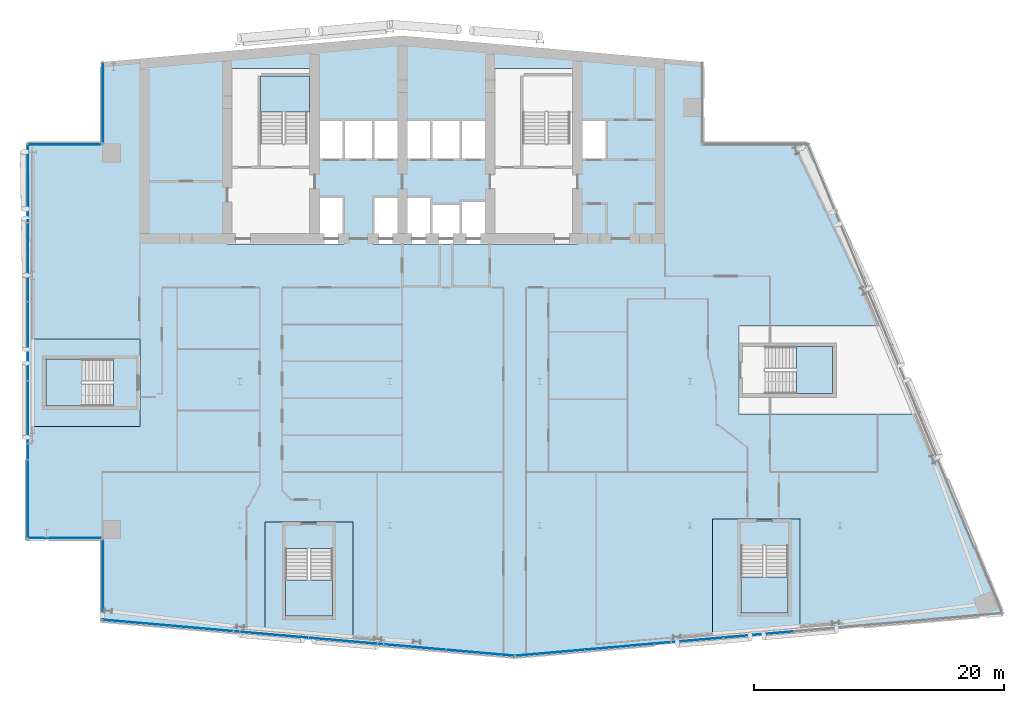
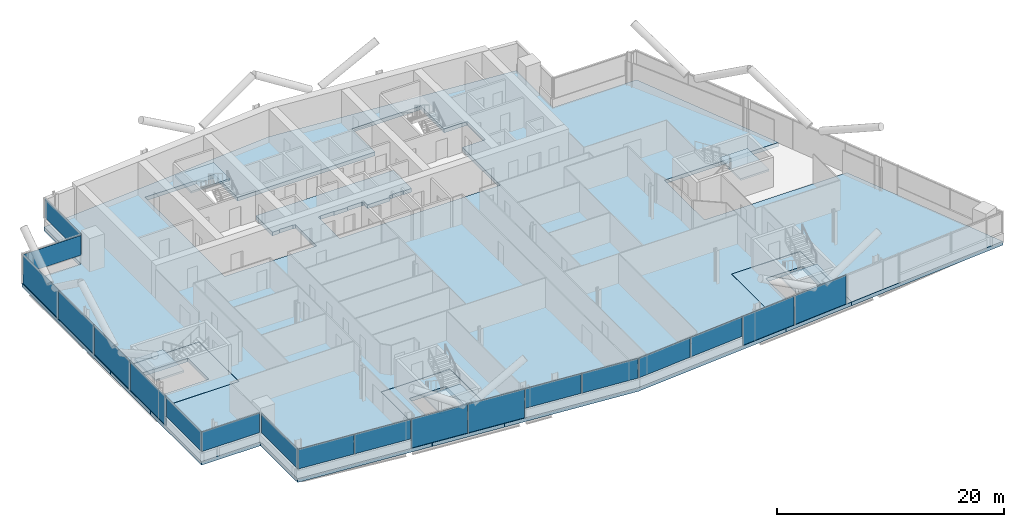
# One storey, part 12 of 26: 19 plates, 9 slabs, 12 elements without a shape of their own.
"""IFC4 building model written with IfcOpenShell, lengths in metres."""

from ifc_helpers import new_model, si_unit, direction, frame, origin, origin_2d, place, context, subcontext, project, spatial, polyline, rectangle, outline, extrude, material, layer, layer_set, type_object, element, aggregate, save


model = new_model("IFC4")

# Units and contexts
model_context = context("Model", 3, precision=1e-05, world=origin(), true_north=direction((0.0, 1.0)))
body_context = subcontext(model_context, "Body", "Model", "MODEL_VIEW")
ifc_project = project(units=[si_unit("LENGTHUNIT", "METRE"), si_unit("AREAUNIT", "SQUARE_METRE"), si_unit("VOLUMEUNIT", "CUBIC_METRE"), si_unit("PLANEANGLEUNIT", "RADIAN"), si_unit("MASSUNIT", "GRAM", prefix="KILO")], contexts=[model_context])

# Site, building, storey
site_placement = place(None, origin())
site = spatial("IfcSite", under=ifc_project, at=site_placement, CompositionType="ELEMENT")
building_placement = place(site_placement, origin())
building = spatial("IfcBuilding", under=site, at=building_placement, Name="Wharfspan Tower", CompositionType="ELEMENT")
storey_placement = place(building_placement, frame((0.0, 0.0, 173.5)))
storey = spatial("IfcBuildingStorey", under=building, at=storey_placement, Name="L42", CompositionType="ELEMENT", Elevation=173.5)

# Curtain wall, plates
ifc_material_1 = material(Name="Aluminium 6063-T6", Category="aluminium")
curtain_wall_type_1 = type_object("IfcCurtainWallType", Name="CURTAIN WALL FACETED FRONT", PredefinedType="NOTDEFINED", material=ifc_material_1)
curtain_wall_1_placement = place(storey_placement, origin())
curtain_wall_1 = element("IfcCurtainWall", 1, at=curtain_wall_1_placement, inside=storey, type_object=curtain_wall_type_1, Name="Curtain wall S1", PredefinedType="NOTDEFINED")
ifc_material_2 = material(Name="Glass clear low-iron double glazing", Category="glass")
ifc_layer_1 = layer(ifc_material_2, 0.040039)
ifc_layer_set_1 = layer_set([ifc_layer_1], Name="Glass clear low-iron double glazing")
plate_type_1 = type_object("IfcPlateType", Name="GLASS PANEL FACETED FRONT 40", PredefinedType="CURTAIN_PANEL", material=ifc_layer_set_1)
plate_1_placement = place(storey_placement, frame((15.770264, 3.692871, 1.0), z_axis=(0.0, 0.0, 1.0), x_axis=(0.996198, -0.087156, 0.0)))
plate_1 = element("IfcPlate", 2, at=plate_1_placement, type_object=plate_type_1, Name="Curtain wall S1 panel 1", PredefinedType="CURTAIN_PANEL", context=body_context, shape_type="SweptSolid", body=[
    extrude(rectangle(XDim=5.430908, YDim=0.040039, at=origin_2d()), origin(), (0.0, 0.0, 1.0), 2.120117),
])
plate_2_placement = place(storey_placement, frame((21.255127, 3.213135, 1.0), z_axis=(0.0, 0.0, 1.0), x_axis=(0.996198, -0.087156, 0.0)))
plate_2 = element("IfcPlate", 3, at=plate_2_placement, type_object=plate_type_1, Name="Curtain wall S1 panel 2", PredefinedType="CURTAIN_PANEL", context=body_context, shape_type="SweptSolid", body=[
    extrude(rectangle(XDim=5.460938, YDim=0.040039, at=origin_2d()), origin(), (0.0, 0.0, 1.0), 2.120117),
])
plate_3_placement = place(storey_placement, frame((37.755127, 1.769531, 1.0), z_axis=(0.0, 0.0, 1.0), x_axis=(0.996198, -0.087156, 0.0)))
plate_3 = element("IfcPlate", 4, at=plate_3_placement, type_object=plate_type_1, Name="Curtain wall S1 panel 5", PredefinedType="CURTAIN_PANEL", context=body_context, shape_type="SweptSolid", body=[
    extrude(rectangle(XDim=5.460938, YDim=0.040039, at=origin_2d()), origin(), (0.0, 0.0, 1.0), 2.120117),
])
plate_4_placement = place(storey_placement, frame((43.240234, 1.289551, 1.0), z_axis=(0.0, 0.0, 1.0), x_axis=(0.996198, -0.087156, 0.0)))
plate_4 = element("IfcPlate", 5, at=plate_4_placement, type_object=plate_type_1, Name="Curtain wall S1 panel 6", PredefinedType="CURTAIN_PANEL", context=body_context, shape_type="SweptSolid", body=[
    extrude(rectangle(XDim=5.430908, YDim=0.040039, at=origin_2d()), origin(), (0.0, 0.0, 1.0), 2.120117),
])

curtain_wall_2_placement = place(storey_placement, origin())
curtain_wall_2 = element("IfcCurtainWall", 6, at=curtain_wall_2_placement, inside=storey, type_object=curtain_wall_type_1, Name="Curtain wall S2", PredefinedType="NOTDEFINED")
plate_5_placement = place(storey_placement, frame((48.79541, 1.292725, 1.0), z_axis=(0.0, 0.0, 1.0), x_axis=(0.996198, 0.087156, 0.0)))
plate_5 = element("IfcPlate", 7, at=plate_5_placement, type_object=plate_type_1, Name="Curtain wall S2 panel 1", PredefinedType="CURTAIN_PANEL", context=body_context, shape_type="SweptSolid", body=[
    extrude(rectangle(XDim=5.502686, YDim=0.040039, at=origin_2d()), origin(), (0.0, 0.0, 1.0), 2.120117),
])
plate_6_placement = place(storey_placement, frame((54.351807, 1.778809, 1.0), z_axis=(0.0, 0.0, 1.0), x_axis=(0.996198, 0.087156, 0.0)))
plate_6 = element("IfcPlate", 8, at=plate_6_placement, type_object=plate_type_1, Name="Curtain wall S2 panel 2", PredefinedType="CURTAIN_PANEL", context=body_context, shape_type="SweptSolid", body=[
    extrude(rectangle(XDim=5.532715, YDim=0.040039, at=origin_2d()), origin(), (0.0, 0.0, 1.0), 2.120117),
])

# Curtain wall, plate
curtain_wall_type_2 = type_object("IfcCurtainWallType", Name="CURTAIN WALL PROW AND END", PredefinedType="NOTDEFINED", material=ifc_material_1)
curtain_wall_3_placement = place(storey_placement, origin())
curtain_wall_3 = element("IfcCurtainWall", 9, at=curtain_wall_3_placement, inside=storey, type_object=curtain_wall_type_2, Name="Curtain wall NRW-V", PredefinedType="NOTDEFINED")
ifc_layer_2 = layer(ifc_material_2, 0.040039)
ifc_layer_set_2 = layer_set([ifc_layer_2], Name="Glass clear low-iron double glazing")
plate_type_2 = type_object("IfcPlateType", Name="GLASS PANEL PROW AND END 40", PredefinedType="CURTAIN_PANEL", material=ifc_layer_set_2)
plate_7_placement = place(storey_placement, frame((13.080078, 45.262451, 1.0), z_axis=(0.0, 0.0, 1.0), x_axis=(0.0, -1.0, 0.0)))
plate_7 = element("IfcPlate", 10, at=plate_7_placement, type_object=plate_type_2, Name="Curtain wall NRW-V panel 1", PredefinedType="CURTAIN_PANEL", context=body_context, shape_type="SweptSolid", body=[
    extrude(rectangle(XDim=6.405029, YDim=0.040039, at=origin_2d()), origin(), (0.0, 0.0, 1.0), 2.120117),
])
aggregate(curtain_wall_3, [plate_7])

curtain_wall_4_placement = place(storey_placement, origin())
curtain_wall_4 = element("IfcCurtainWall", 11, at=curtain_wall_4_placement, inside=storey, type_object=curtain_wall_type_2, Name="Curtain wall NRW-H", PredefinedType="NOTDEFINED")
plate_8_placement = place(storey_placement, frame((10.0, 41.919922, 1.0), z_axis=(0.0, 0.0, 1.0), x_axis=(-1.0, 0.0, 0.0)))
plate_8 = element("IfcPlate", 12, at=plate_8_placement, type_object=plate_type_2, Name="Curtain wall NRW-H panel 1", PredefinedType="CURTAIN_PANEL", context=body_context, shape_type="SweptSolid", body=[
    extrude(rectangle(XDim=5.879883, YDim=0.040039, at=origin_2d()), origin(), (0.0, 0.0, 1.0), 2.120117),
])
aggregate(curtain_wall_4, [plate_8])

curtain_wall_5_placement = place(storey_placement, origin())
curtain_wall_5 = element("IfcCurtainWall", 13, at=curtain_wall_5_placement, inside=storey, type_object=curtain_wall_type_2, Name="Curtain wall W", PredefinedType="NOTDEFINED")
plate_9_placement = place(storey_placement, frame((7.080078, 13.574951, 1.0), z_axis=(0.0, 0.0, 1.0), x_axis=(0.0, -1.0, 0.0)))
plate_9 = element("IfcPlate", 14, at=plate_9_placement, type_object=plate_type_2, Name="Curtain wall W panel 5", PredefinedType="CURTAIN_PANEL", context=body_context, shape_type="SweptSolid", body=[
    extrude(rectangle(XDim=6.22998, YDim=0.040039, at=origin_2d()), origin(), (0.0, 0.0, 1.0), 2.120117),
])

curtain_wall_6_placement = place(storey_placement, origin())
curtain_wall_6 = element("IfcCurtainWall", 15, at=curtain_wall_6_placement, inside=storey, type_object=curtain_wall_type_2, Name="Curtain wall NFW-H", PredefinedType="NOTDEFINED")
plate_10_placement = place(storey_placement, frame((10.0, 10.47998, 1.0), z_axis=(0.0, 0.0, 1.0), x_axis=(1.0, 0.0, 0.0)))
plate_10 = element("IfcPlate", 16, at=plate_10_placement, type_object=plate_type_2, Name="Curtain wall NFW-H panel 1", PredefinedType="CURTAIN_PANEL", context=body_context, shape_type="SweptSolid", body=[
    extrude(rectangle(XDim=5.879883, YDim=0.040039, at=origin_2d()), origin(), (0.0, 0.0, 1.0), 2.120117),
])
aggregate(curtain_wall_6, [plate_10])

curtain_wall_7_placement = place(storey_placement, origin())
curtain_wall_7 = element("IfcCurtainWall", 17, at=curtain_wall_7_placement, inside=storey, type_object=curtain_wall_type_2, Name="Curtain wall NFW-V", PredefinedType="NOTDEFINED")
plate_11_placement = place(storey_placement, frame((13.080078, 7.137451, 1.0), z_axis=(0.0, 0.0, 1.0), x_axis=(0.0, -1.0, 0.0)))
plate_11 = element("IfcPlate", 18, at=plate_11_placement, type_object=plate_type_2, Name="Curtain wall NFW-V panel 1", PredefinedType="CURTAIN_PANEL", context=body_context, shape_type="SweptSolid", body=[
    extrude(rectangle(XDim=6.405029, YDim=0.040039, at=origin_2d()), origin(), (0.0, 0.0, 1.0), 2.120117),
])
aggregate(curtain_wall_7, [plate_11])

# Plate
ifc_material_3 = material(Name="Aluminium composite opaque insulated panel", Category="aluminium")
ifc_layer_3 = layer(ifc_material_3, 0.040039)
ifc_layer_set_3 = layer_set([ifc_layer_3], Name="Aluminium composite opaque insulated panel")
plate_type_3 = type_object("IfcPlateType", Name="INFILL PANEL FACETED FRONT OPAQUE 40", PredefinedType="SHEET", material=ifc_layer_set_3)
plate_12_placement = place(storey_placement, frame((26.755127, 2.731934, 0.0), z_axis=(0.0, 0.0, 1.0), x_axis=(0.996198, -0.087156, 0.0)))
plate_12 = element("IfcPlate", 19, at=plate_12_placement, type_object=plate_type_3, Name="Curtain wall S1 panel 3", PredefinedType="SHEET", context=body_context, shape_type="SweptSolid", body=[
    extrude(rectangle(XDim=5.460938, YDim=0.040039, at=origin_2d()), origin(), (0.0, 0.0, 1.0), 3.120117),
])

plate_13_placement = place(storey_placement, frame((32.255127, 2.250732, 0.0), z_axis=(0.0, 0.0, 1.0), x_axis=(0.996198, -0.087156, 0.0)))
plate_13 = element("IfcPlate", 20, at=plate_13_placement, type_object=plate_type_3, Name="Curtain wall S1 panel 4", PredefinedType="SHEET", context=body_context, shape_type="SweptSolid", body=[
    extrude(rectangle(XDim=5.460938, YDim=0.040039, at=origin_2d()), origin(), (0.0, 0.0, 1.0), 3.120117),
])

aggregate(curtain_wall_1, [plate_1, plate_2, plate_12, plate_13, plate_3, plate_4])

plate_14_placement = place(storey_placement, frame((59.92334, 2.266357, 0.0), z_axis=(0.0, 0.0, 1.0), x_axis=(0.996198, 0.087156, 0.0)))
plate_14 = element("IfcPlate", 21, at=plate_14_placement, type_object=plate_type_3, Name="Curtain wall S2 panel 3", PredefinedType="SHEET", context=body_context, shape_type="SweptSolid", body=[
    extrude(rectangle(XDim=5.532715, YDim=0.040039, at=origin_2d()), origin(), (0.0, 0.0, 1.0), 3.120117),
])

plate_15_placement = place(storey_placement, frame((65.494873, 2.753662, 0.0), z_axis=(0.0, 0.0, 1.0), x_axis=(0.996198, 0.087156, 0.0)))
plate_15 = element("IfcPlate", 22, at=plate_15_placement, type_object=plate_type_3, Name="Curtain wall S2 panel 4", PredefinedType="SHEET", context=body_context, shape_type="SweptSolid", body=[
    extrude(rectangle(XDim=5.532715, YDim=0.040039, at=origin_2d()), origin(), (0.0, 0.0, 1.0), 3.120117),
])

aggregate(curtain_wall_2, [plate_5, plate_6, plate_14, plate_15])

ifc_layer_4 = layer(ifc_material_3, 0.040039)
ifc_layer_set_4 = layer_set([ifc_layer_4], Name="Aluminium composite opaque insulated panel")
plate_type_4 = type_object("IfcPlateType", Name="INFILL PANEL PROW AND END OPAQUE 40", PredefinedType="SHEET", material=ifc_layer_set_4)
plate_16_placement = place(storey_placement, frame((7.080078, 38.824951, 0.0), z_axis=(0.0, 0.0, 1.0), x_axis=(0.0, -1.0, 0.0)))
plate_16 = element("IfcPlate", 23, at=plate_16_placement, type_object=plate_type_4, Name="Curtain wall W panel 1", PredefinedType="SHEET", context=body_context, shape_type="SweptSolid", body=[
    extrude(rectangle(XDim=6.22998, YDim=0.040039, at=origin_2d()), origin(), (0.0, 0.0, 1.0), 3.120117),
])

plate_17_placement = place(storey_placement, frame((7.080078, 32.52002, 0.0), z_axis=(0.0, 0.0, 1.0), x_axis=(0.0, -1.0, 0.0)))
plate_17 = element("IfcPlate", 24, at=plate_17_placement, type_object=plate_type_4, Name="Curtain wall W panel 2", PredefinedType="SHEET", context=body_context, shape_type="SweptSolid", body=[
    extrude(rectangle(XDim=6.26001, YDim=0.040039, at=origin_2d()), origin(), (0.0, 0.0, 1.0), 3.120117),
])

plate_18_placement = place(storey_placement, frame((7.080078, 26.199951, 0.0), z_axis=(0.0, 0.0, 1.0), x_axis=(0.0, -1.0, 0.0)))
plate_18 = element("IfcPlate", 25, at=plate_18_placement, type_object=plate_type_4, Name="Curtain wall W panel 3", PredefinedType="SHEET", context=body_context, shape_type="SweptSolid", body=[
    extrude(rectangle(XDim=6.26001, YDim=0.040039, at=origin_2d()), origin(), (0.0, 0.0, 1.0), 3.120117),
])

plate_19_placement = place(storey_placement, frame((7.080078, 19.879883, 0.0), z_axis=(0.0, 0.0, 1.0), x_axis=(0.0, -1.0, 0.0)))
plate_19 = element("IfcPlate", 26, at=plate_19_placement, type_object=plate_type_4, Name="Curtain wall W panel 4", PredefinedType="SHEET", context=body_context, shape_type="SweptSolid", body=[
    extrude(rectangle(XDim=6.26001, YDim=0.040039, at=origin_2d()), origin(), (0.0, 0.0, 1.0), 3.120117),
])

aggregate(curtain_wall_5, [plate_16, plate_17, plate_18, plate_19, plate_9])

# Slabs
ifc_material_4 = material(Name="Concrete C40/50", Category="concrete")
ifc_layer_5 = layer(ifc_material_4, 0.399902)
ifc_layer_set_5 = layer_set([ifc_layer_5], Name="Concrete C40/50")
slab_type_1 = type_object("IfcSlabType", Name="Post-tensioned flat slab 400", PredefinedType="FLOOR", material=ifc_layer_set_5)
slab_1_placement = place(storey_placement, frame((0.0, 0.0, -0.400146)))
element("IfcSlab", 27, at=slab_1_placement, inside=storey, type_object=slab_type_1, Name="Floor slab L42", PredefinedType="FLOOR", context=body_context, shape_type="SweptSolid", body=[
    extrude(outline(polyline([(26.029297, 2.735107), (26.029297, 11.744385), (33.049316, 11.744385), (33.049316, 2.121094), (46.0, 0.987793), (61.801514, 2.370361), (61.801514, 11.993652), (68.821289, 11.993652), (68.821289, 2.984619), (85.0, 4.399902), (78.398682, 20.389893), (63.894531, 20.389893), (63.894531, 27.409912), (75.500488, 27.409912), (69.477051, 42.0), (61.0, 42.0), (61.0, 48.524902), (37.0, 50.624756), (13.0, 48.524902), (13.0, 42.0), (7.0, 42.0), (7.0, 26.409912), (16.01001, 26.409912), (16.01001, 19.389893), (7.0, 19.389893), (7.0, 10.399902), (13.0, 10.399902), (13.0, 3.875), (26.029297, 2.735107)]), holes=[polyline([(32.126709, 37.76001), (32.343262, 37.76001), (32.343262, 33.98999), (22.98999, 33.98999), (22.98999, 48.01001), (30.01001, 48.01001), (30.01001, 43.909912), (43.98999, 43.909912), (43.98999, 48.01001), (51.01001, 48.01001), (51.01001, 43.909912), (53.343262, 43.909912), (53.343262, 40.689941), (51.01001, 40.689941), (51.01001, 33.98999), (34.656738, 33.98999), (34.656738, 37.76001), (34.873291, 37.76001), (34.873291, 37.810059), (36.293213, 37.810059), (36.293213, 37.76001), (37.666748, 37.76001), (37.666748, 37.810059), (39.166748, 37.810059), (39.166748, 37.76001), (39.343262, 37.76001), (39.343262, 37.209961), (41.656738, 37.209961), (41.656738, 37.459961), (42.023193, 37.459961), (42.023193, 37.51001), (43.143311, 37.51001), (43.143311, 37.459961), (43.98999, 37.459961), (43.98999, 40.689941), (30.01001, 40.689941), (30.01001, 37.76001), (30.706787, 37.76001), (30.706787, 37.810059), (32.126709, 37.810059), (32.126709, 37.76001)])]), origin(), (0.0, 0.0, 1.0), 0.400146),
])
slab_2_placement = place(storey_placement, frame((0.0, 0.0, -0.400146)))
element("IfcSlab", 28, at=slab_2_placement, inside=storey, type_object=slab_type_1, Name="Core floor slab L42 part 1", PredefinedType="FLOOR", context=body_context, shape_type="SweptSolid", body=[
    extrude(outline(polyline([(16.0, 20.725098), (16.0, 25.074951), (16.0, 26.399902), (7.0, 26.399902), (7.0, 19.399902), (16.0, 19.399902), (16.0, 20.725098)]), holes=[polyline([(13.899902, 24.7771), (13.900146, 24.7771), (13.900391, 24.7771), (13.900635, 24.776855), (13.900879, 24.776855), (13.900879, 24.776855), (13.901123, 24.776611), (13.901367, 24.776611), (13.901367, 24.776367), (13.901611, 24.776367), (13.901611, 24.776123), (13.901855, 24.775879), (13.901855, 24.775879), (13.901855, 24.775635), (13.9021, 24.775391), (13.9021, 24.775146), (13.9021, 24.774902), (13.9021, 21.024902), (13.9021, 21.024902), (13.9021, 21.024658), (13.901855, 21.024414), (13.901855, 21.02417), (13.901855, 21.02417), (13.901611, 21.023926), (13.901611, 21.023682), (13.901367, 21.023682), (13.901367, 21.023438), (13.901123, 21.023193), (13.900879, 21.023193), (13.900879, 21.023193), (13.900635, 21.023193), (13.900391, 21.022949), (13.900146, 21.022949), (13.899902, 21.022949), (8.5, 21.022949), (8.499756, 21.022949), (8.499512, 21.022949), (8.499512, 21.023193), (8.499268, 21.023193), (8.499023, 21.023193), (8.498779, 21.023193), (8.498779, 21.023438), (8.498535, 21.023682), (8.498535, 21.023682), (8.498291, 21.023926), (8.498291, 21.02417), (8.498291, 21.02417), (8.498047, 21.024414), (8.498047, 21.024658), (8.498047, 21.024902), (8.498047, 21.024902), (8.498047, 24.774902), (8.498047, 24.775146), (8.498047, 24.775391), (8.498047, 24.775635), (8.498291, 24.775879), (8.498291, 24.775879), (8.498291, 24.776123), (8.498535, 24.776367), (8.498535, 24.776367), (8.498779, 24.776611), (8.498779, 24.776611), (8.499023, 24.776855), (8.499268, 24.776855), (8.499512, 24.776855), (8.499512, 24.7771), (8.499756, 24.7771), (8.5, 24.7771), (13.899902, 24.7771)])]), origin(), (0.0, 0.0, 1.0), 0.400146),
])
slab_3_placement = place(storey_placement, frame((0.0, 0.0, -0.400146)))
element("IfcSlab", 29, at=slab_3_placement, inside=storey, type_object=slab_type_1, Name="Core floor slab L42 part 2", PredefinedType="FLOOR", context=body_context, shape_type="SweptSolid", body=[
    extrude(outline(polyline([(31.714111, 11.734375), (27.364258, 11.734375), (26.039307, 11.734375), (26.039307, 2.734375), (33.039307, 2.121826), (33.039307, 11.734375), (31.714111, 11.734375)]), holes=[polyline([(27.662109, 9.634277), (27.662109, 9.634521), (27.662354, 9.634766), (27.662354, 9.63501), (27.662354, 9.63501), (27.662598, 9.635254), (27.662598, 9.635498), (27.662598, 9.635498), (27.662842, 9.635742), (27.663086, 9.635742), (27.663086, 9.635986), (27.66333, 9.635986), (27.663574, 9.635986), (27.663574, 9.63623), (27.663818, 9.63623), (27.664062, 9.63623), (27.664307, 9.63623), (31.414307, 9.63623), (31.414307, 9.63623), (31.414551, 9.63623), (31.414795, 9.63623), (31.415039, 9.635986), (31.415283, 9.635986), (31.415283, 9.635986), (31.415527, 9.635742), (31.415527, 9.635742), (31.415771, 9.635498), (31.416016, 9.635498), (31.416016, 9.635254), (31.416016, 9.63501), (31.416016, 9.63501), (31.41626, 9.634766), (31.41626, 9.634521), (31.41626, 9.634277), (31.41626, 4.234375), (31.41626, 4.234131), (31.41626, 4.233887), (31.416016, 4.233643), (31.416016, 4.233398), (31.416016, 4.233398), (31.416016, 4.233154), (31.415771, 4.23291), (31.415527, 4.23291), (31.415527, 4.232666), (31.415283, 4.232666), (31.415283, 4.232422), (31.415039, 4.232422), (31.414795, 4.232422), (31.414551, 4.232422), (31.414307, 4.232422), (31.414307, 4.232422), (27.664307, 4.232422), (27.664062, 4.232422), (27.663818, 4.232422), (27.663574, 4.232422), (27.663574, 4.232422), (27.66333, 4.232422), (27.663086, 4.232666), (27.663086, 4.232666), (27.662842, 4.23291), (27.662598, 4.23291), (27.662598, 4.233154), (27.662598, 4.233398), (27.662354, 4.233398), (27.662354, 4.233643), (27.662354, 4.233887), (27.662109, 4.234131), (27.662109, 4.234375), (27.662109, 9.634277)])]), origin(), (0.0, 0.0, 1.0), 0.400146),
])
slab_4_placement = place(storey_placement, frame((0.0, 0.0, -0.400146)))
element("IfcSlab", 30, at=slab_4_placement, inside=storey, type_object=slab_type_1, Name="Core floor slab L42 part 4", PredefinedType="FLOOR", context=body_context, shape_type="SweptSolid", body=[
    extrude(outline(polyline([(68.811279, 11.983643), (68.136475, 11.983643), (63.786377, 11.983643), (61.811279, 11.983643), (61.811279, 2.371338), (68.811279, 2.983643), (68.811279, 11.983643)]), holes=[polyline([(64.084473, 9.883789), (64.084473, 9.883789), (64.084473, 9.884033), (64.084473, 9.884277), (64.084473, 9.884521), (64.084717, 9.884521), (64.084717, 9.884766), (64.084717, 9.88501), (64.084961, 9.88501), (64.085205, 9.885254), (64.085205, 9.885254), (64.085449, 9.885498), (64.085693, 9.885498), (64.085693, 9.885498), (64.085938, 9.885498), (64.086182, 9.885742), (64.086426, 9.885742), (67.836426, 9.885742), (67.836426, 9.885742), (67.83667, 9.885498), (67.836914, 9.885498), (67.837158, 9.885498), (67.837402, 9.885498), (67.837402, 9.885254), (67.837646, 9.885254), (67.837891, 9.88501), (67.837891, 9.88501), (67.837891, 9.884766), (67.838135, 9.884521), (67.838135, 9.884521), (67.838379, 9.884277), (67.838379, 9.884033), (67.838379, 9.883789), (67.838379, 9.883789), (67.838379, 4.483643), (67.838379, 4.483398), (67.838379, 4.483398), (67.838379, 4.483154), (67.838135, 4.48291), (67.838135, 4.482666), (67.837891, 4.482666), (67.837891, 4.482422), (67.837891, 4.482422), (67.837646, 4.482178), (67.837402, 4.481934), (67.837402, 4.481934), (67.837158, 4.481689), (67.836914, 4.481689), (67.83667, 4.481689), (67.836426, 4.481689), (67.836426, 4.481689), (64.086426, 4.481689), (64.086182, 4.481689), (64.085938, 4.481689), (64.085693, 4.481689), (64.085693, 4.481689), (64.085449, 4.481934), (64.085205, 4.481934), (64.085205, 4.482178), (64.084961, 4.482422), (64.084717, 4.482422), (64.084717, 4.482666), (64.084717, 4.482666), (64.084473, 4.48291), (64.084473, 4.483154), (64.084473, 4.483398), (64.084473, 4.483398), (64.084473, 4.483643), (64.084473, 9.883789)])]), origin(), (0.0, 0.0, 1.0), 0.400146),
])

# Stair, slab
stair_type = type_object("IfcStairType", Name="Half-turn stair 20 risers 180 mm", PredefinedType="HALF_TURN_STAIR", material=ifc_material_4)
stair_1_placement = place(storey_placement, origin())
stair_1 = element("IfcStair", 31, at=stair_1_placement, inside=storey, type_object=stair_type, Name="L42 stair ST1", PredefinedType="HALF_TURN_STAIR")
ifc_layer_6 = layer(ifc_material_4, 0.199951)
ifc_layer_set_6 = layer_set([ifc_layer_6], Name="Concrete C40/50")
slab_type_2 = type_object("IfcSlabType", Name="Stair landing 200", PredefinedType="LANDING", material=ifc_layer_set_6)
slab_5_placement = place(storey_placement, frame((0.0, 0.0, 1.599854)))
slab_5 = element("IfcSlab", 32, at=slab_5_placement, type_object=slab_type_2, Name="ST1 landing 1", PredefinedType="LANDING", context=body_context, shape_type="SweptSolid", body=[
    extrude(outline(polyline([(25.649902, 44.52002), (29.600098, 44.52002), (29.600098, 47.399902), (25.649902, 47.399902), (25.649902, 44.52002)])), origin(), (0.0, 0.0, 1.0), 0.200195),
])
aggregate(stair_1, [slab_5])

stair_2_placement = place(storey_placement, origin())
stair_2 = element("IfcStair", 33, at=stair_2_placement, inside=storey, type_object=stair_type, Name="L42 stair ST3", PredefinedType="HALF_TURN_STAIR")
slab_6_placement = place(storey_placement, frame((0.0, 0.0, 1.599854)))
slab_6 = element("IfcSlab", 34, at=slab_6_placement, type_object=slab_type_2, Name="ST3 landing 1", PredefinedType="LANDING", context=body_context, shape_type="SweptSolid", body=[
    extrude(outline(polyline([(11.379883, 24.774902), (8.5, 24.774902), (8.5, 21.024902), (11.379883, 21.024902), (11.379883, 24.774902)])), origin(), (0.0, 0.0, 1.0), 0.200195),
])
aggregate(stair_2, [slab_6])

stair_3_placement = place(storey_placement, origin())
stair_3 = element("IfcStair", 35, at=stair_3_placement, inside=storey, type_object=stair_type, Name="L42 stair ST4", PredefinedType="HALF_TURN_STAIR")
slab_7_placement = place(storey_placement, frame((0.0, 0.0, 1.599854)))
slab_7 = element("IfcSlab", 36, at=slab_7_placement, type_object=slab_type_2, Name="ST4 landing 1", PredefinedType="LANDING", context=body_context, shape_type="SweptSolid", body=[
    extrude(outline(polyline([(27.664307, 7.114258), (27.664307, 4.234375), (31.414307, 4.234375), (31.414307, 7.114258), (27.664307, 7.114258)])), origin(), (0.0, 0.0, 1.0), 0.200195),
])
aggregate(stair_3, [slab_7])

stair_4_placement = place(storey_placement, origin())
stair_4 = element("IfcStair", 37, at=stair_4_placement, inside=storey, type_object=stair_type, Name="L42 stair ST5", PredefinedType="HALF_TURN_STAIR")
slab_8_placement = place(storey_placement, frame((0.0, 0.0, 1.599854)))
slab_8 = element("IfcSlab", 38, at=slab_8_placement, type_object=slab_type_2, Name="ST5 landing 1", PredefinedType="LANDING", context=body_context, shape_type="SweptSolid", body=[
    extrude(outline(polyline([(64.086426, 7.36377), (64.086426, 4.483643), (67.836426, 4.483643), (67.836426, 7.36377), (64.086426, 7.36377)])), origin(), (0.0, 0.0, 1.0), 0.200195),
])
aggregate(stair_4, [slab_8])

stair_5_placement = place(storey_placement, origin())
stair_5 = element("IfcStair", 39, at=stair_5_placement, inside=storey, type_object=stair_type, Name="L42 stair ST6", PredefinedType="HALF_TURN_STAIR")
slab_9_placement = place(storey_placement, frame((0.0, 0.0, 1.599854)))
slab_9 = element("IfcSlab", 40, at=slab_9_placement, type_object=slab_type_2, Name="ST6 landing 1", PredefinedType="LANDING", context=body_context, shape_type="SweptSolid", body=[
    extrude(outline(polyline([(68.524658, 22.024902), (71.404541, 22.024902), (71.404541, 25.774902), (68.524658, 25.774902), (68.524658, 22.024902)])), origin(), (0.0, 0.0, 1.0), 0.200195),
])
aggregate(stair_5, [slab_9])

save(model, "model.ifc")
